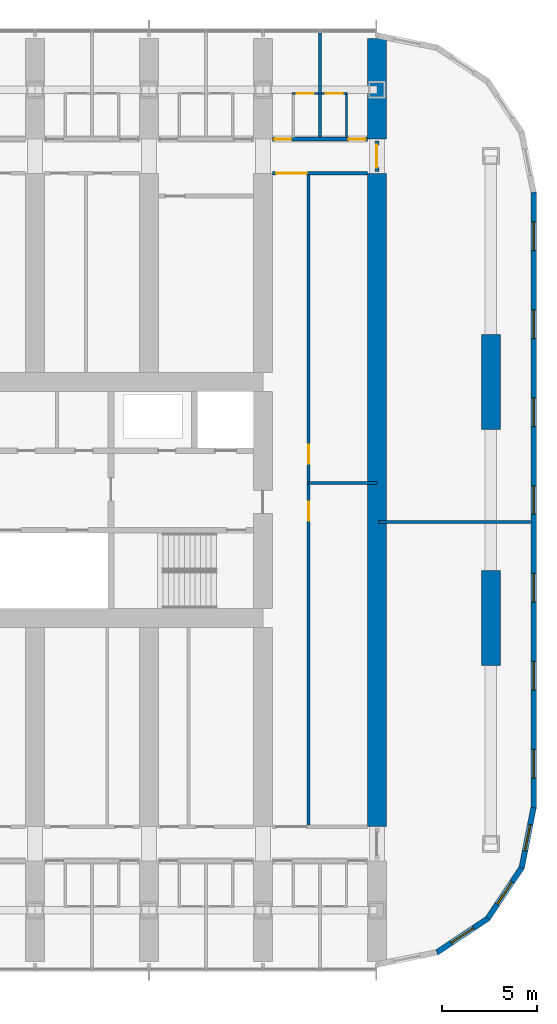
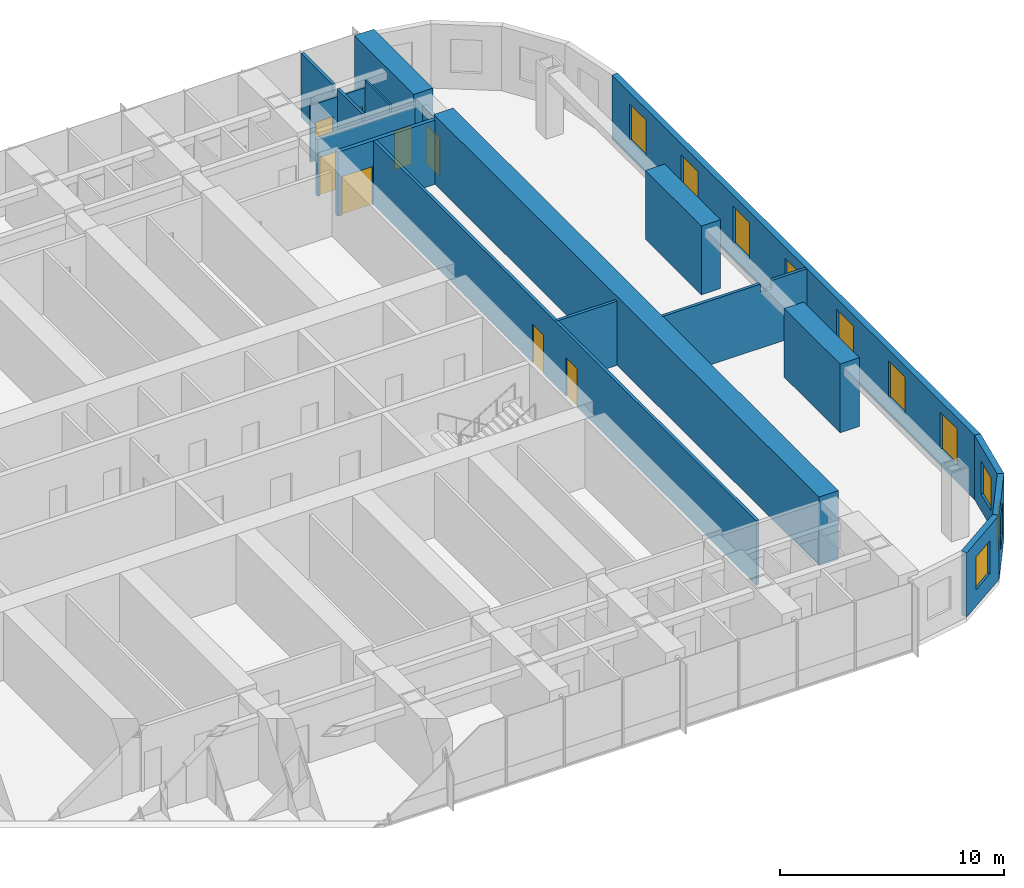
# One storey, part 19 of 25: 18 walls, 10 windows, 8 doors, 18 openings.
"""IFC4 building model written with IfcOpenShell, lengths in metres."""

from ifc_helpers import new_model, si_unit, direction, frame, frame_2d, origin, place, context, subcontext, project, spatial, polyline, rectangle, outline, extrude, material, layer, layer_set, type_object, element, fill, save


model = new_model("IFC4")

# Units and contexts
model_context = context("Model", 3, precision=1e-05, world=origin(), true_north=direction((0.0, 1.0)))
body_context = subcontext(model_context, "Body", "Model", "MODEL_VIEW")
ifc_project = project(units=[si_unit("LENGTHUNIT", "METRE"), si_unit("AREAUNIT", "SQUARE_METRE"), si_unit("VOLUMEUNIT", "CUBIC_METRE"), si_unit("PLANEANGLEUNIT", "RADIAN"), si_unit("MASSUNIT", "GRAM", prefix="KILO")], contexts=[model_context])

# Site, building, storey
site_placement = place(None, origin())
site = spatial("IfcSite", under=ifc_project, at=site_placement, CompositionType="ELEMENT")
building_placement = place(site_placement, origin())
building = spatial("IfcBuilding", under=site, at=building_placement, Name="Orbita Commons", CompositionType="ELEMENT")
storey_placement = place(building_placement, frame((0.0, 0.0, 31.449951171875)))
storey = spatial("IfcBuildingStorey", under=building, at=storey_placement, Name="L07", CompositionType="ELEMENT", Elevation=31.449951171875)

# Wall, openings, doors
ifc_material_1 = material(Name="Concrete blockwork", Category="masonry")
ifc_layer_1 = layer(ifc_material_1, 0.199951171875)
ifc_layer_set_1 = layer_set([ifc_layer_1], Name="Concrete blockwork")
wall_type_1 = type_object("IfcWallType", Name="Corridor wall 200 blockwork", PredefinedType="SOLIDWALL", material=ifc_layer_set_1)
wall_1_placement = place(storey_placement, frame((66.5, 51.0, 0.0), z_axis=(0.0, 0.0, 1.0), x_axis=(1.0, 0.0, 0.0)))
wall_1 = element("IfcWall", 1, at=wall_1_placement, inside=storey, type_object=wall_type_1, Name="Corridor wall 200 blockwork L07", PredefinedType="SOLIDWALL", context=body_context, shape_type="SweptSolid", body=[
    extrude(outline(polyline([(0.0, 0.0), (5.0, 0.0), (5.0, 3.10009765625), (0.0, 3.10009765625), (0.0, 0.0)])), frame((0.0, 0.10009765625, 0.0), z_axis=(0.0, -1.0, 0.0), x_axis=(1.0, 0.0, 0.0)), (0.0, 0.0, 1.0), 0.199951171875),
])
opening_1_placement = place(wall_1_placement, frame((0.10009765625, 0.0, 0.0)))
opening_1 = element("IfcOpeningElement", 2, at=opening_1_placement, cuts=wall_1, Name="Opening D11", PredefinedType="OPENING", context=body_context, shape_type="SweptSolid", body=[
    extrude(rectangle(XDim=0.89990234375, YDim=2.10009765625, at=frame_2d((0.449951171875, 1.050048828125))), frame((0.0, 0.10986328125, 0.0), z_axis=(0.0, -1.0, 0.0), x_axis=(1.0, 0.0, 0.0)), (0.0, 0.0, 1.0), 0.219970703125),
])
opening_2_placement = place(wall_1_placement, frame((4.0, 0.0, 0.0)))
opening_2 = element("IfcOpeningElement", 3, at=opening_2_placement, cuts=wall_1, Name="Opening D11", PredefinedType="OPENING", context=body_context, shape_type="SweptSolid", body=[
    extrude(rectangle(XDim=0.89990234375, YDim=2.10009765625, at=frame_2d((0.449951171875, 1.050048828125))), frame((0.0, 0.10986328125, 0.0), z_axis=(0.0, -1.0, 0.0), x_axis=(1.0, 0.0, 0.0)), (0.0, 0.0, 1.0), 0.219970703125),
])
ifc_material_2 = material(Name="Steel-faced fire door leaf", Category="steel")
door_type_1 = type_object("IfcDoorType", Name="Corridor door 20 min 900x2100", OperationType="SINGLE_SWING_LEFT", PredefinedType="DOOR", material=ifc_material_2)
door_1_placement = place(opening_1_placement, origin())
door_1 = element("IfcDoor", 4, at=door_1_placement, inside=storey, type_object=door_type_1, Name="House bedroom L07-N18 door", OperationType="SINGLE_SWING_LEFT", OverallHeight=2.10009765625, OverallWidth=0.89990234375, PredefinedType="DOOR", context=body_context, shape_type="SweptSolid", body=[
    extrude(rectangle(XDim=0.89990234375, YDim=2.10009765625, at=frame_2d((0.449951171875, 1.050048828125))), frame((0.0, 0.02490234375, 0.0), z_axis=(0.0, -1.0, 0.0), x_axis=(1.0, 0.0, 0.0)), (0.0, 0.0, 1.0), 0.050048828125),
])
fill(opening_1, door_1)
door_2_placement = place(opening_2_placement, origin())
door_2 = element("IfcDoor", 5, at=door_2_placement, inside=storey, type_object=door_type_1, Name="House bedroom L07-N19 door", OperationType="SINGLE_SWING_LEFT", OverallHeight=2.10009765625, OverallWidth=0.89990234375, PredefinedType="DOOR", context=body_context, shape_type="SweptSolid", body=[
    extrude(rectangle(XDim=0.89990234375, YDim=2.10009765625, at=frame_2d((0.449951171875, 1.050048828125))), frame((0.0, 0.02490234375, 0.0), z_axis=(0.0, -1.0, 0.0), x_axis=(1.0, 0.0, 0.0)), (0.0, 0.0, 1.0), 0.050048828125),
])
fill(opening_2, door_2)

# Wall, opening, door
wall_2_placement = place(storey_placement, frame((72.0, 49.300048828125, 0.0), z_axis=(0.0, 0.0, 1.0), x_axis=(0.0, 1.0, 0.0)))
wall_2 = element("IfcWall", 6, at=wall_2_placement, inside=storey, type_object=wall_type_1, Name="Corridor wall 200 blockwork L07", PredefinedType="SOLIDWALL", context=body_context, shape_type="SweptSolid", body=[
    extrude(outline(polyline([(0.0, 0.0), (1.599853515625, 0.0), (1.60009765625, 3.050048828125), (0.0, 3.050048828125), (0.0, 0.0)])), frame((0.0, 0.10009765625, 0.0), z_axis=(0.0, -1.0, 0.0), x_axis=(1.0, 0.0, 0.0)), (0.0, 0.0, 1.0), 0.199951171875),
])
opening_3_placement = place(wall_2_placement, frame((0.199951171875, 0.0, 0.0)))
opening_3 = element("IfcOpeningElement", 7, at=opening_3_placement, cuts=wall_2, Name="Opening D12", PredefinedType="OPENING", context=body_context, shape_type="SweptSolid", body=[
    extrude(rectangle(XDim=1.199951171875, YDim=2.10009765625, at=frame_2d((0.60009765625, 1.050048828125))), frame((0.0, 0.10986328125, 0.0), z_axis=(0.0, -1.0, 0.0), x_axis=(1.0, 0.0, 0.0)), (0.0, 0.0, 1.0), 0.219970703125),
])
ifc_material_3 = material(Name="Steel-faced fire door leaf", Category="steel")
door_type_2 = type_object("IfcDoorType", Name="Double corridor door 20 min 1200x2100", OperationType="DOUBLE_DOOR_SINGLE_SWING", PredefinedType="DOOR", material=ifc_material_3)
door_3_placement = place(opening_3_placement, origin())
door_3 = element("IfcDoor", 8, at=door_3_placement, inside=storey, type_object=door_type_2, Name="Lounge doors", OperationType="DOUBLE_DOOR_SINGLE_SWING", OverallHeight=2.10009765625, OverallWidth=1.199951171875, PredefinedType="DOOR", context=body_context, shape_type="SweptSolid", body=[
    extrude(rectangle(XDim=1.199951171875, YDim=2.10009765625, at=frame_2d((0.60009765625, 1.050048828125))), frame((0.0, 0.02490234375, 0.0), z_axis=(0.0, -1.0, 0.0), x_axis=(1.0, 0.0, 0.0)), (0.0, 0.0, 1.0), 0.050048828125),
])
fill(opening_3, door_3)

ifc_material_4 = material(Name="Hollow concrete block 200", Category="concrete")
ifc_layer_2 = layer(ifc_material_4, 0.199951171875)
ifc_layer_set_2 = layer_set([ifc_layer_2], Name="Hollow concrete block 200")
wall_type_2 = type_object("IfcWallType", Name="Corridor wall 200 hollow concrete block", PredefinedType="SOLIDWALL", material=ifc_layer_set_2)
wall_3_placement = place(storey_placement, frame((66.5, 49.199951171875, 0.0), z_axis=(0.0, 0.0, 1.0), x_axis=(1.0, 0.0, 0.0)))
wall_3 = element("IfcWall", 9, at=wall_3_placement, inside=storey, type_object=wall_type_2, Name="Corridor wall 200 hollow concrete block L07", PredefinedType="SOLIDWALL", context=body_context, shape_type="SweptSolid", body=[
    extrude(rectangle(XDim=5.0, YDim=0.199951171875, at=frame_2d((2.5, 0.0))), origin(), (0.0, 0.0, 1.0), 3.5),
])
opening_4_placement = place(wall_3_placement, frame((0.199951171875, 0.0, 0.0)))
opening_4 = element("IfcOpeningElement", 10, at=opening_4_placement, cuts=wall_3, Name="Opening D10", PredefinedType="OPENING", context=body_context, shape_type="SweptSolid", body=[
    extrude(rectangle(XDim=1.60009765625, YDim=2.10009765625, at=frame_2d((0.800048828125, 1.050048828125))), frame((0.0, 0.10986328125, 0.0), z_axis=(0.0, -1.0, 0.0), x_axis=(1.0, 0.0, 0.0)), (0.0, 0.0, 1.0), 0.219970703125),
])
ifc_material_5 = material(Name="Steel-faced fire door leaf", Category="steel")
door_type_3 = type_object("IfcDoorType", Name="Double corridor door 20 min 1600x2100", OperationType="DOUBLE_DOOR_SINGLE_SWING", PredefinedType="DOOR", material=ifc_material_5)
door_4_placement = place(opening_4_placement, origin())
door_4 = element("IfcDoor", 11, at=door_4_placement, inside=storey, type_object=door_type_3, Name="Cross corridor doors", OperationType="DOUBLE_DOOR_SINGLE_SWING", OverallHeight=2.10009765625, OverallWidth=1.60009765625, PredefinedType="DOOR", context=body_context, shape_type="SweptSolid", body=[
    extrude(rectangle(XDim=1.60009765625, YDim=2.10009765625, at=frame_2d((0.800048828125, 1.050048828125))), frame((0.0, 0.02490234375, 0.0), z_axis=(0.0, -1.0, 0.0), x_axis=(1.0, 0.0, 0.0)), (0.0, 0.0, 1.0), 0.050048828125),
])
fill(opening_4, door_4)

# Walls
ifc_material_6 = material(Name="Concrete C50/60", Category="concrete")
ifc_layer_3 = layer(ifc_material_6, 1.0)
ifc_layer_set_3 = layer_set([ifc_layer_3], Name="Concrete C50/60")
wall_type_3 = type_object("IfcWallType", Name="Cross wall 1000 C50/60", PredefinedType="SHEAR", material=ifc_layer_set_3)
wall_4_placement = place(storey_placement, frame((72.0, 51.0, 0.0), z_axis=(0.0, 0.0, 1.0), x_axis=(0.0, 1.0, 0.0)))
element("IfcWall", 12, at=wall_4_placement, inside=storey, type_object=wall_type_3, Name="Cross wall 13 north outer L07", PredefinedType="SHEAR", context=body_context, shape_type="SweptSolid", body=[
    extrude(rectangle(XDim=5.300048828125, YDim=1.0, at=frame_2d((2.64990234375, 0.0))), origin(), (0.0, 0.0, 1.0), 3.75),
])
wall_5_placement = place(storey_placement, frame((72.0, 14.800048828125, 0.0), z_axis=(0.0, 0.0, 1.0), x_axis=(0.0, 1.0, 0.0)))
element("IfcWall", 13, at=wall_5_placement, inside=storey, type_object=wall_type_3, Name="Cross wall 13 inner L07", PredefinedType="SHEAR", context=body_context, shape_type="SweptSolid", body=[
    extrude(rectangle(XDim=34.39990234375, YDim=1.0, at=frame_2d((17.199951171875, 0.0))), origin(), (0.0, 0.0, 1.0), 3.75),
])

# Wall, opening, door
ifc_material_7 = material(Name="Moisture-resistant plasterboard on steel studs", Category="steel")
ifc_layer_4 = layer(ifc_material_7, 0.10009765625)
ifc_layer_set_4 = layer_set([ifc_layer_4], Name="Moisture-resistant plasterboard on steel studs")
wall_type_4 = type_object("IfcWallType", Name="En-suite partition 100", PredefinedType="PARTITIONING", material=ifc_layer_set_4)
wall_6_placement = place(storey_placement, frame((67.550048828125, 53.40185546875, 0.0), z_axis=(0.0, 0.0, 1.0), x_axis=(1.0, 0.0, 0.0)))
wall_6 = element("IfcWall", 14, at=wall_6_placement, inside=storey, type_object=wall_type_4, Name="En-suite partition 100 L07", PredefinedType="PARTITIONING", context=body_context, shape_type="SweptSolid", body=[
    extrude(outline(polyline([(0.0, 0.0), (1.375, 0.0), (1.375, 3.10009765625), (0.0, 3.10009765625), (0.0, 0.0)])), frame((0.0, 0.050048828125, 0.0), z_axis=(0.0, -1.0, 0.0), x_axis=(1.0, 0.0, 0.0)), (0.0, 0.0, 1.0), 0.10009765625),
])
opening_5_placement = place(wall_6_placement, frame((0.237548828125, 0.0, 0.0)))
opening_5 = element("IfcOpeningElement", 15, at=opening_5_placement, cuts=wall_6, Name="Opening D09", PredefinedType="OPENING", context=body_context, shape_type="SweptSolid", body=[
    extrude(rectangle(XDim=0.89990234375, YDim=2.10009765625, at=frame_2d((0.449951171875, 1.050048828125))), frame((0.0, 0.06005859375, 0.0), z_axis=(0.0, -1.0, 0.0), x_axis=(1.0, 0.0, 0.0)), (0.0, 0.0, 1.0), 0.1201171875),
])
ifc_material_8 = material(Name="Laminated timber door leaf", Category="wood")
door_type_4 = type_object("IfcDoorType", Name="En-suite door 900x2100", OperationType="SINGLE_SWING_RIGHT", PredefinedType="DOOR", material=ifc_material_8)
door_5_placement = place(opening_5_placement, origin())
door_5 = element("IfcDoor", 16, at=door_5_placement, inside=storey, type_object=door_type_4, Name="En-suite L07-N18 door", OperationType="SINGLE_SWING_RIGHT", OverallHeight=2.10009765625, OverallWidth=0.89990234375, PredefinedType="DOOR", context=body_context, shape_type="SweptSolid", body=[
    extrude(rectangle(XDim=0.89990234375, YDim=2.10009765625, at=frame_2d((0.449951171875, 1.050048828125))), frame((0.0, 0.02490234375, 0.0), z_axis=(0.0, -1.0, 0.0), x_axis=(1.0, 0.0, 0.0)), (0.0, 0.0, 1.0), 0.050048828125),
])
fill(opening_5, door_5)

wall_7_placement = place(storey_placement, frame((69.074951171875, 53.40185546875, 0.0), z_axis=(0.0, 0.0, 1.0), x_axis=(1.0, 0.0, 0.0)))
wall_7 = element("IfcWall", 17, at=wall_7_placement, inside=storey, type_object=wall_type_4, Name="En-suite partition 100 L07", PredefinedType="PARTITIONING", context=body_context, shape_type="SweptSolid", body=[
    extrude(outline(polyline([(0.0, 0.0), (1.375, 0.0), (1.375, 3.10009765625), (0.0, 3.10009765625), (0.0, 0.0)])), frame((0.0, 0.050048828125, 0.0), z_axis=(0.0, -1.0, 0.0), x_axis=(1.0, 0.0, 0.0)), (0.0, 0.0, 1.0), 0.10009765625),
])
opening_6_placement = place(wall_7_placement, frame((0.237548828125, 0.0, 0.0)))
opening_6 = element("IfcOpeningElement", 18, at=opening_6_placement, cuts=wall_7, Name="Opening D09", PredefinedType="OPENING", context=body_context, shape_type="SweptSolid", body=[
    extrude(rectangle(XDim=0.89990234375, YDim=2.10009765625, at=frame_2d((0.449951171875, 1.050048828125))), frame((0.0, 0.06005859375, 0.0), z_axis=(0.0, -1.0, 0.0), x_axis=(1.0, 0.0, 0.0)), (0.0, 0.0, 1.0), 0.1201171875),
])
door_6_placement = place(opening_6_placement, origin())
door_6 = element("IfcDoor", 19, at=door_6_placement, inside=storey, type_object=door_type_4, Name="En-suite L07-N19 door", OperationType="SINGLE_SWING_RIGHT", OverallHeight=2.10009765625, OverallWidth=0.89990234375, PredefinedType="DOOR", context=body_context, shape_type="SweptSolid", body=[
    extrude(rectangle(XDim=0.89990234375, YDim=2.10009765625, at=frame_2d((0.449951171875, 1.050048828125))), frame((0.0, 0.02490234375, 0.0), z_axis=(0.0, -1.0, 0.0), x_axis=(1.0, 0.0, 0.0)), (0.0, 0.0, 1.0), 0.050048828125),
])
fill(opening_6, door_6)

# Walls
wall_8_placement = place(storey_placement, frame((70.39990234375, 53.351806640625, 0.0), z_axis=(0.0, 0.0, 1.0), x_axis=(0.0, -1.0, 0.0)))
element("IfcWall", 20, at=wall_8_placement, inside=storey, type_object=wall_type_4, Name="En-suite partition 100 L07", PredefinedType="PARTITIONING", context=body_context, shape_type="SweptSolid", body=[
    extrude(outline(polyline([(0.0, 0.0), (2.251708984375, 0.0), (2.251953125, 3.10009765625), (2.203857421875, 3.10009765625), (2.201904296875, 3.5), (0.0, 3.5), (0.0, 0.0)])), frame((0.0, 0.050048828125, 0.0), z_axis=(0.0, -1.0, 0.0), x_axis=(1.0, 0.0, 0.0)), (0.0, 0.0, 1.0), 0.10009765625),
])
ifc_material_9 = material(Name="Concrete C50/60", Category="concrete")
ifc_layer_5 = layer(ifc_material_9, 1.0)
ifc_layer_set_5 = layer_set([ifc_layer_5], Name="Concrete C50/60")
wall_type_5 = type_object("IfcWallType", Name="End pier 1000x5000 C50/60", PredefinedType="SHEAR", material=ifc_layer_set_5)
for number, where, z_axis, x_axis, name in (
    (21, (78.0, 23.300048828125, 0.0), (0.0, 0.0, 1.0), (0.0, 1.0, 0.0), "End pier 14/C L07"),
    (22, (78.0, 35.699951171875, 0.0), (0.0, 0.0, 1.0), (0.0, 1.0, 0.0), "End pier 14/D L07"),
):
    element("IfcWall", number, at=place(storey_placement, frame(where, z_axis=z_axis, x_axis=x_axis)), inside=storey, type_object=wall_type_5, Name=name, PredefinedType="SHEAR", context=body_context, shape_type="SweptSolid", body=[
        extrude(rectangle(XDim=5.0, YDim=1.0, at=frame_2d((2.5, 0.0))), origin(), (0.0, 0.0, 1.0), 3.75),
    ])

# Wall, openings, doors
ifc_material_10 = material(Name="Gypsum plasterboard on steel studs", Category="steel")
ifc_layer_6 = layer(ifc_material_10, 0.14990234375)
ifc_layer_set_6 = layer_set([ifc_layer_6], Name="Gypsum plasterboard on steel studs")
wall_type_6 = type_object("IfcWallType", Name="Partition 150 plasterboard", PredefinedType="PARTITIONING", material=ifc_layer_set_6)
wall_9_placement = place(storey_placement, frame((68.39990234375, 14.89990234375, 0.0), z_axis=(0.0, 0.0, 1.0), x_axis=(0.0, 1.0, 0.0)))
wall_9 = element("IfcWall", 23, at=wall_9_placement, inside=storey, type_object=wall_type_6, Name="Partition 150 plasterboard L07", PredefinedType="PARTITIONING", context=body_context, shape_type="SweptSolid", body=[
    extrude(rectangle(XDim=34.2001953125, YDim=0.14990234375, at=frame_2d((17.10009765625, 0.0))), origin(), (0.0, 0.0, 1.0), 3.5),
])
opening_7_placement = place(wall_9_placement, frame((16.0, 0.0, 0.0)))
opening_7 = element("IfcOpeningElement", 24, at=opening_7_placement, cuts=wall_9, Name="Opening D06", PredefinedType="OPENING", context=body_context, shape_type="SweptSolid", body=[
    extrude(rectangle(XDim=1.0, YDim=2.10009765625, at=frame_2d((0.5, 1.050048828125))), frame((0.0, 0.0849609375, 0.0), z_axis=(0.0, -1.0, 0.0), x_axis=(1.0, 0.0, 0.0)), (0.0, 0.0, 1.0), 0.169921875),
])
opening_8_placement = place(wall_9_placement, frame((19.0, 0.0, 0.0)))
opening_8 = element("IfcOpeningElement", 25, at=opening_8_placement, cuts=wall_9, Name="Opening D06", PredefinedType="OPENING", context=body_context, shape_type="SweptSolid", body=[
    extrude(rectangle(XDim=1.0, YDim=2.10009765625, at=frame_2d((0.5, 1.050048828125))), frame((0.0, 0.0849609375, 0.0), z_axis=(0.0, -1.0, 0.0), x_axis=(1.0, 0.0, 0.0)), (0.0, 0.0, 1.0), 0.169921875),
])
ifc_material_11 = material(Name="Steel-faced fire door leaf", Category="steel")
door_type_5 = type_object("IfcDoorType", Name="Corridor door 20 min 1000x2100", OperationType="SINGLE_SWING_LEFT", PredefinedType="DOOR", material=ifc_material_11)
door_7_placement = place(opening_7_placement, origin())
door_7 = element("IfcDoor", 26, at=door_7_placement, inside=storey, type_object=door_type_5, Name="Prayer room door", OperationType="SINGLE_SWING_LEFT", OverallHeight=2.10009765625, OverallWidth=1.0, PredefinedType="DOOR", context=body_context, shape_type="SweptSolid", body=[
    extrude(rectangle(XDim=1.0, YDim=2.10009765625, at=frame_2d((0.5, 1.050048828125))), frame((0.0, 0.02490234375, 0.0), z_axis=(0.0, -1.0, 0.0), x_axis=(1.0, 0.0, 0.0)), (0.0, 0.0, 1.0), 0.050048828125),
])
fill(opening_7, door_7)
door_8_placement = place(opening_8_placement, origin())
door_8 = element("IfcDoor", 27, at=door_8_placement, inside=storey, type_object=door_type_5, Name="Quiet room en door", OperationType="SINGLE_SWING_LEFT", OverallHeight=2.10009765625, OverallWidth=1.0, PredefinedType="DOOR", context=body_context, shape_type="SweptSolid", body=[
    extrude(rectangle(XDim=1.0, YDim=2.10009765625, at=frame_2d((0.5, 1.050048828125))), frame((0.0, 0.02490234375, 0.0), z_axis=(0.0, -1.0, 0.0), x_axis=(1.0, 0.0, 0.0)), (0.0, 0.0, 1.0), 0.050048828125),
])
fill(opening_8, door_8)

# Walls
wall_10_placement = place(storey_placement, frame((68.39990234375, 32.89990234375, 0.0), z_axis=(0.0, 0.0, 1.0), x_axis=(1.0, 0.0, 0.0)))
element("IfcWall", 28, at=wall_10_placement, inside=storey, type_object=wall_type_6, Name="Partition 150 plasterboard L07", PredefinedType="PARTITIONING", context=body_context, shape_type="SweptSolid", body=[
    extrude(rectangle(XDim=3.60009765625, YDim=0.14990234375, at=frame_2d((1.800048828125, 0.0))), origin(), (0.0, 0.0, 1.0), 3.5),
])
wall_11_placement = place(storey_placement, frame((72.074951171875, 30.85009765625, 0.0), z_axis=(0.0, 0.0, 1.0), x_axis=(1.0, 0.0, 0.0)))
element("IfcWall", 29, at=wall_11_placement, inside=storey, type_object=wall_type_6, Name="Partition 150 plasterboard L07", PredefinedType="PARTITIONING", context=body_context, shape_type="SweptSolid", body=[
    extrude(outline(polyline([(0.0, 0.0), (8.02001953125, 0.0), (8.02001953125, 3.5), (6.22705078125, 3.5), (6.22509765625, 3.050048828125), (5.626953125, 3.050048828125), (5.625, 3.5), (0.0, 3.5), (0.0, 0.0)])), frame((0.0, 0.074951171875, 0.0), z_axis=(0.0, -1.0, 0.0), x_axis=(1.0, 0.0, 0.0)), (0.0, 0.0, 1.0), 0.14990234375),
])
ifc_material_12 = material(Name="Gypsum plasterboard on steel studs", Category="steel")
ifc_layer_7 = layer(ifc_material_12, 0.14990234375)
ifc_layer_set_7 = layer_set([ifc_layer_7], Name="Gypsum plasterboard on steel studs")
wall_type_7 = type_object("IfcWallType", Name="Party wall 150 plasterboard", PredefinedType="PARTITIONING", material=ifc_layer_set_7)
wall_12_placement = place(storey_placement, frame((69.0, 56.590087890625, 0.0), z_axis=(0.0, 0.0, 1.0), x_axis=(0.0, -1.0, 0.0)))
element("IfcWall", 30, at=wall_12_placement, inside=storey, type_object=wall_type_7, Name="Party wall 150 plasterboard L07", PredefinedType="PARTITIONING", context=body_context, shape_type="SweptSolid", body=[
    extrude(outline(polyline([(0.0, 0.0), (5.489990234375, 0.0), (5.489990234375, 3.10009765625), (5.44189453125, 3.10009765625), (5.43994140625, 3.5), (3.19189453125, 3.5), (3.18994140625, 3.10009765625), (2.7919921875, 3.10009765625), (2.7900390625, 3.5), (0.0, 3.5), (0.0, 0.0)])), frame((0.0, 0.074951171875, 0.0), z_axis=(0.0, -1.0, 0.0), x_axis=(1.0, 0.0, 0.0)), (0.0, 0.0, 1.0), 0.14990234375),
])

# Wall, openings, windows
ifc_material_13 = material(Name="Precast concrete C40/50, white board-marked finish", Category="concrete")
ifc_layer_8 = layer(ifc_material_13, 0.300048828125)
ifc_layer_set_8 = layer_set([ifc_layer_8], Name="Precast concrete C40/50, white board-marked finish")
wall_type_8 = type_object("IfcWallType", Name="Precast concrete end shield 300", PredefinedType="SOLIDWALL", material=ifc_layer_set_8)
wall_13_placement = place(storey_placement, frame((80.25, 15.800048828125, 0.0), z_axis=(0.0, 0.0, 1.0), x_axis=(0.0, 1.0, 0.0)))
wall_13 = element("IfcWall", 31, at=wall_13_placement, inside=storey, type_object=wall_type_8, Name="End shield E L07", PredefinedType="SOLIDWALL", context=body_context, shape_type="SweptSolid", body=[
    extrude(outline(polyline([(-0.014892578125, -0.14990234375), (32.414794921875, -0.14990234375), (32.385009765625, 0.14990234375), (0.014892578125, 0.14990234375), (-0.014892578125, -0.14990234375)])), origin(), (0.0, 0.0, 1.0), 3.5),
])
opening_9_placement = place(wall_13_placement, frame((1.564208984375, 0.0, 0.89990234375)))
opening_9 = element("IfcOpeningElement", 32, at=opening_9_placement, cuts=wall_13, Name="Opening W01", PredefinedType="OPENING", context=body_context, shape_type="SweptSolid", body=[
    extrude(rectangle(XDim=1.5, YDim=2.0, at=frame_2d((0.75, 1.0))), frame((0.0, 0.159912109375, 0.0), z_axis=(0.0, -1.0, 0.0), x_axis=(1.0, 0.0, 0.0)), (0.0, 0.0, 1.0), 0.320068359375),
])
opening_10_placement = place(wall_13_placement, frame((6.19287109375, 0.0, 0.89990234375)))
opening_10 = element("IfcOpeningElement", 33, at=opening_10_placement, cuts=wall_13, Name="Opening W01", PredefinedType="OPENING", context=body_context, shape_type="SweptSolid", body=[
    extrude(rectangle(XDim=1.5, YDim=2.0, at=frame_2d((0.75, 1.0))), frame((0.0, 0.159912109375, 0.0), z_axis=(0.0, -1.0, 0.0), x_axis=(1.0, 0.0, 0.0)), (0.0, 0.0, 1.0), 0.320068359375),
])
opening_11_placement = place(wall_13_placement, frame((10.821533203125, 0.0, 0.89990234375)))
opening_11 = element("IfcOpeningElement", 34, at=opening_11_placement, cuts=wall_13, Name="Opening W01", PredefinedType="OPENING", context=body_context, shape_type="SweptSolid", body=[
    extrude(rectangle(XDim=1.5, YDim=2.0, at=frame_2d((0.75, 1.0))), frame((0.0, 0.159912109375, 0.0), z_axis=(0.0, -1.0, 0.0), x_axis=(1.0, 0.0, 0.0)), (0.0, 0.0, 1.0), 0.320068359375),
])
opening_12_placement = place(wall_13_placement, frame((15.449951171875, 0.0, 0.89990234375)))
opening_12 = element("IfcOpeningElement", 35, at=opening_12_placement, cuts=wall_13, Name="Opening W01", PredefinedType="OPENING", context=body_context, shape_type="SweptSolid", body=[
    extrude(rectangle(XDim=1.5, YDim=2.0, at=frame_2d((0.75, 1.0))), frame((0.0, 0.159912109375, 0.0), z_axis=(0.0, -1.0, 0.0), x_axis=(1.0, 0.0, 0.0)), (0.0, 0.0, 1.0), 0.320068359375),
])
opening_13_placement = place(wall_13_placement, frame((20.07861328125, 0.0, 0.89990234375)))
opening_13 = element("IfcOpeningElement", 36, at=opening_13_placement, cuts=wall_13, Name="Opening W01", PredefinedType="OPENING", context=body_context, shape_type="SweptSolid", body=[
    extrude(rectangle(XDim=1.5, YDim=2.0, at=frame_2d((0.75, 1.0))), frame((0.0, 0.159912109375, 0.0), z_axis=(0.0, -1.0, 0.0), x_axis=(1.0, 0.0, 0.0)), (0.0, 0.0, 1.0), 0.320068359375),
])
opening_14_placement = place(wall_13_placement, frame((24.70703125, 0.0, 0.89990234375)))
opening_14 = element("IfcOpeningElement", 37, at=opening_14_placement, cuts=wall_13, Name="Opening W01", PredefinedType="OPENING", context=body_context, shape_type="SweptSolid", body=[
    extrude(rectangle(XDim=1.5, YDim=2.0, at=frame_2d((0.75, 1.0))), frame((0.0, 0.159912109375, 0.0), z_axis=(0.0, -1.0, 0.0), x_axis=(1.0, 0.0, 0.0)), (0.0, 0.0, 1.0), 0.320068359375),
])
opening_15_placement = place(wall_13_placement, frame((29.335693359375, 0.0, 0.89990234375)))
opening_15 = element("IfcOpeningElement", 38, at=opening_15_placement, cuts=wall_13, Name="Opening W01", PredefinedType="OPENING", context=body_context, shape_type="SweptSolid", body=[
    extrude(rectangle(XDim=1.5, YDim=2.0, at=frame_2d((0.75, 1.0))), frame((0.0, 0.159912109375, 0.0), z_axis=(0.0, -1.0, 0.0), x_axis=(1.0, 0.0, 0.0)), (0.0, 0.0, 1.0), 0.320068359375),
])
ifc_material_14 = material(Name="Aluminium frame, clear double glazing", Category="aluminium")
window_type_1 = type_object("IfcWindowType", Name="Deep-set window 1500x2000", PartitioningType="SINGLE_PANEL", PredefinedType="WINDOW", material=ifc_material_14)
window_1_placement = place(opening_9_placement, origin())
window_1 = element("IfcWindow", 39, at=window_1_placement, inside=storey, type_object=window_type_1, Name="Window L07-E 1", OverallHeight=2.0, OverallWidth=1.5, PartitioningType="SINGLE_PANEL", PredefinedType="WINDOW", context=body_context, shape_type="SweptSolid", body=[
    extrude(rectangle(XDim=1.5, YDim=2.0, at=frame_2d((0.75, 1.0))), frame((0.0, 0.030029296875, 0.0), z_axis=(0.0, -1.0, 0.0), x_axis=(1.0, 0.0, 0.0)), (0.0, 0.0, 1.0), 0.06005859375),
])
fill(opening_9, window_1)
window_2_placement = place(opening_10_placement, origin())
window_2 = element("IfcWindow", 40, at=window_2_placement, inside=storey, type_object=window_type_1, Name="Window L07-E 2", OverallHeight=2.0, OverallWidth=1.5, PartitioningType="SINGLE_PANEL", PredefinedType="WINDOW", context=body_context, shape_type="SweptSolid", body=[
    extrude(rectangle(XDim=1.5, YDim=2.0, at=frame_2d((0.75, 1.0))), frame((0.0, 0.030029296875, 0.0), z_axis=(0.0, -1.0, 0.0), x_axis=(1.0, 0.0, 0.0)), (0.0, 0.0, 1.0), 0.06005859375),
])
fill(opening_10, window_2)
window_3_placement = place(opening_11_placement, origin())
window_3 = element("IfcWindow", 41, at=window_3_placement, inside=storey, type_object=window_type_1, Name="Window L07-E 3", OverallHeight=2.0, OverallWidth=1.5, PartitioningType="SINGLE_PANEL", PredefinedType="WINDOW", context=body_context, shape_type="SweptSolid", body=[
    extrude(rectangle(XDim=1.5, YDim=2.0, at=frame_2d((0.75, 1.0))), frame((0.0, 0.030029296875, 0.0), z_axis=(0.0, -1.0, 0.0), x_axis=(1.0, 0.0, 0.0)), (0.0, 0.0, 1.0), 0.06005859375),
])
fill(opening_11, window_3)
window_4_placement = place(opening_12_placement, origin())
window_4 = element("IfcWindow", 42, at=window_4_placement, inside=storey, type_object=window_type_1, Name="Window L07-E 4", OverallHeight=2.0, OverallWidth=1.5, PartitioningType="SINGLE_PANEL", PredefinedType="WINDOW", context=body_context, shape_type="SweptSolid", body=[
    extrude(rectangle(XDim=1.5, YDim=2.0, at=frame_2d((0.75, 1.0))), frame((0.0, 0.030029296875, 0.0), z_axis=(0.0, -1.0, 0.0), x_axis=(1.0, 0.0, 0.0)), (0.0, 0.0, 1.0), 0.06005859375),
])
fill(opening_12, window_4)
window_5_placement = place(opening_13_placement, origin())
window_5 = element("IfcWindow", 43, at=window_5_placement, inside=storey, type_object=window_type_1, Name="Window L07-E 5", OverallHeight=2.0, OverallWidth=1.5, PartitioningType="SINGLE_PANEL", PredefinedType="WINDOW", context=body_context, shape_type="SweptSolid", body=[
    extrude(rectangle(XDim=1.5, YDim=2.0, at=frame_2d((0.75, 1.0))), frame((0.0, 0.030029296875, 0.0), z_axis=(0.0, -1.0, 0.0), x_axis=(1.0, 0.0, 0.0)), (0.0, 0.0, 1.0), 0.06005859375),
])
fill(opening_13, window_5)
window_6_placement = place(opening_14_placement, origin())
window_6 = element("IfcWindow", 44, at=window_6_placement, inside=storey, type_object=window_type_1, Name="Window L07-E 6", OverallHeight=2.0, OverallWidth=1.5, PartitioningType="SINGLE_PANEL", PredefinedType="WINDOW", context=body_context, shape_type="SweptSolid", body=[
    extrude(rectangle(XDim=1.5, YDim=2.0, at=frame_2d((0.75, 1.0))), frame((0.0, 0.030029296875, 0.0), z_axis=(0.0, -1.0, 0.0), x_axis=(1.0, 0.0, 0.0)), (0.0, 0.0, 1.0), 0.06005859375),
])
fill(opening_14, window_6)
window_7_placement = place(opening_15_placement, origin())
window_7 = element("IfcWindow", 45, at=window_7_placement, inside=storey, type_object=window_type_1, Name="Window L07-E 7", OverallHeight=2.0, OverallWidth=1.5, PartitioningType="SINGLE_PANEL", PredefinedType="WINDOW", context=body_context, shape_type="SweptSolid", body=[
    extrude(rectangle(XDim=1.5, YDim=2.0, at=frame_2d((0.75, 1.0))), frame((0.0, 0.030029296875, 0.0), z_axis=(0.0, -1.0, 0.0), x_axis=(1.0, 0.0, 0.0)), (0.0, 0.0, 1.0), 0.06005859375),
])
fill(opening_15, window_7)

# Wall, opening, window
wall_14_placement = place(storey_placement, frame((75.156982421875, 8.177978515625, 0.0), z_axis=(0.0, 0.0, 1.0), x_axis=(0.831478105043, 0.555557522525, 0.0)))
wall_14 = element("IfcWall", 46, at=wall_14_placement, inside=storey, type_object=wall_type_8, Name="End shield SE chord 2 L07", PredefinedType="SOLIDWALL", context=body_context, shape_type="SweptSolid", body=[
    extrude(outline(polyline([(-0.02978515625, -0.14990234375), (3.248779296875, -0.14990234375), (3.189208984375, 0.14990234375), (0.02978515625, 0.14990234375), (-0.02978515625, -0.14990234375)])), origin(), (0.0, 0.0, 1.0), 3.5),
])
opening_16_placement = place(wall_14_placement, frame((0.909423828125, 0.0, 0.89990234375)))
opening_16 = element("IfcOpeningElement", 47, at=opening_16_placement, cuts=wall_14, Name="Opening W02", PredefinedType="OPENING", context=body_context, shape_type="SweptSolid", body=[
    extrude(rectangle(XDim=1.39990234375, YDim=1.800048828125, at=frame_2d((0.699951171875, 0.89990234375))), frame((0.0, 0.159912109375, 0.0), z_axis=(0.0, -1.0, 0.0), x_axis=(1.0, 0.0, 0.0)), (0.0, 0.0, 1.0), 0.320068359375),
])
ifc_material_15 = material(Name="Aluminium frame, clear double glazing", Category="aluminium")
window_type_2 = type_object("IfcWindowType", Name="Deep-set window 1400x1800", PartitioningType="SINGLE_PANEL", PredefinedType="WINDOW", material=ifc_material_15)
window_8_placement = place(opening_16_placement, origin())
window_8 = element("IfcWindow", 48, at=window_8_placement, inside=storey, type_object=window_type_2, Name="Window L07-SE1", OverallHeight=1.800048828125, OverallWidth=1.39990234375, PartitioningType="SINGLE_PANEL", PredefinedType="WINDOW", context=body_context, shape_type="SweptSolid", body=[
    extrude(rectangle(XDim=1.39990234375, YDim=1.800048828125, at=frame_2d((0.699951171875, 0.89990234375))), frame((0.0, 0.030029296875, 0.0), z_axis=(0.0, -1.0, 0.0), x_axis=(1.0, 0.0, 0.0)), (0.0, 0.0, 1.0), 0.06005859375),
])
fill(opening_16, window_8)

wall_15_placement = place(storey_placement, frame((77.83349609375, 9.96630859375, 0.0), z_axis=(0.0, 0.0, 1.0), x_axis=(0.555609954424, 0.831443069936, 0.0)))
wall_15 = element("IfcWall", 49, at=wall_15_placement, inside=storey, type_object=wall_type_8, Name="End shield SE chord 3 L07", PredefinedType="SOLIDWALL", context=body_context, shape_type="SweptSolid", body=[
    extrude(outline(polyline([(-0.02978515625, -0.14990234375), (3.2490234375, -0.14990234375), (3.189453125, 0.14990234375), (0.02978515625, 0.14990234375), (-0.02978515625, -0.14990234375)])), origin(), (0.0, 0.0, 1.0), 3.5),
])
opening_17_placement = place(wall_15_placement, frame((0.909423828125, 0.0, 0.89990234375)))
opening_17 = element("IfcOpeningElement", 50, at=opening_17_placement, cuts=wall_15, Name="Opening W02", PredefinedType="OPENING", context=body_context, shape_type="SweptSolid", body=[
    extrude(rectangle(XDim=1.39990234375, YDim=1.800048828125, at=frame_2d((0.699951171875, 0.89990234375))), frame((0.0, 0.159912109375, 0.0), z_axis=(0.0, -1.0, 0.0), x_axis=(1.0, 0.0, 0.0)), (0.0, 0.0, 1.0), 0.320068359375),
])
window_9_placement = place(opening_17_placement, origin())
window_9 = element("IfcWindow", 51, at=window_9_placement, inside=storey, type_object=window_type_2, Name="Window L07-SE2", OverallHeight=1.800048828125, OverallWidth=1.39990234375, PartitioningType="SINGLE_PANEL", PredefinedType="WINDOW", context=body_context, shape_type="SweptSolid", body=[
    extrude(rectangle(XDim=1.39990234375, YDim=1.800048828125, at=frame_2d((0.699951171875, 0.89990234375))), frame((0.0, 0.030029296875, 0.0), z_axis=(0.0, -1.0, 0.0), x_axis=(1.0, 0.0, 0.0)), (0.0, 0.0, 1.0), 0.06005859375),
])
fill(opening_17, window_9)

wall_16_placement = place(storey_placement, frame((79.6220703125, 12.642822265625, 0.0), z_axis=(0.0, 0.0, 1.0), x_axis=(0.195065901187, 0.980790137692, 0.0)))
wall_16 = element("IfcWall", 52, at=wall_16_placement, inside=storey, type_object=wall_type_8, Name="End shield SE chord 4 L07", PredefinedType="SOLIDWALL", context=body_context, shape_type="SweptSolid", body=[
    extrude(outline(polyline([(-0.02978515625, -0.14990234375), (3.23388671875, -0.14990234375), (3.2041015625, 0.14990234375), (0.02978515625, 0.14990234375), (-0.02978515625, -0.14990234375)])), origin(), (0.0, 0.0, 1.0), 3.5),
])
opening_18_placement = place(wall_16_placement, frame((0.909423828125, 0.0, 0.89990234375)))
opening_18 = element("IfcOpeningElement", 53, at=opening_18_placement, cuts=wall_16, Name="Opening W02", PredefinedType="OPENING", context=body_context, shape_type="SweptSolid", body=[
    extrude(rectangle(XDim=1.39990234375, YDim=1.800048828125, at=frame_2d((0.699951171875, 0.89990234375))), frame((0.0, 0.159912109375, 0.0), z_axis=(0.0, -1.0, 0.0), x_axis=(1.0, 0.0, 0.0)), (0.0, 0.0, 1.0), 0.320068359375),
])
window_10_placement = place(opening_18_placement, origin())
window_10 = element("IfcWindow", 54, at=window_10_placement, inside=storey, type_object=window_type_2, Name="Window L07-SE3", OverallHeight=1.800048828125, OverallWidth=1.39990234375, PartitioningType="SINGLE_PANEL", PredefinedType="WINDOW", context=body_context, shape_type="SweptSolid", body=[
    extrude(rectangle(XDim=1.39990234375, YDim=1.800048828125, at=frame_2d((0.699951171875, 0.89990234375))), frame((0.0, 0.030029296875, 0.0), z_axis=(0.0, -1.0, 0.0), x_axis=(1.0, 0.0, 0.0)), (0.0, 0.0, 1.0), 0.06005859375),
])
fill(opening_18, window_10)

save(model, "model.ifc")
